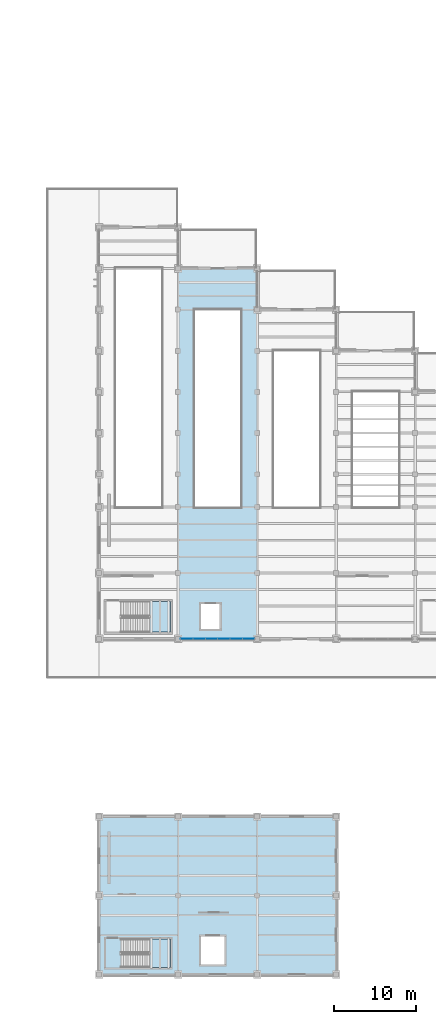
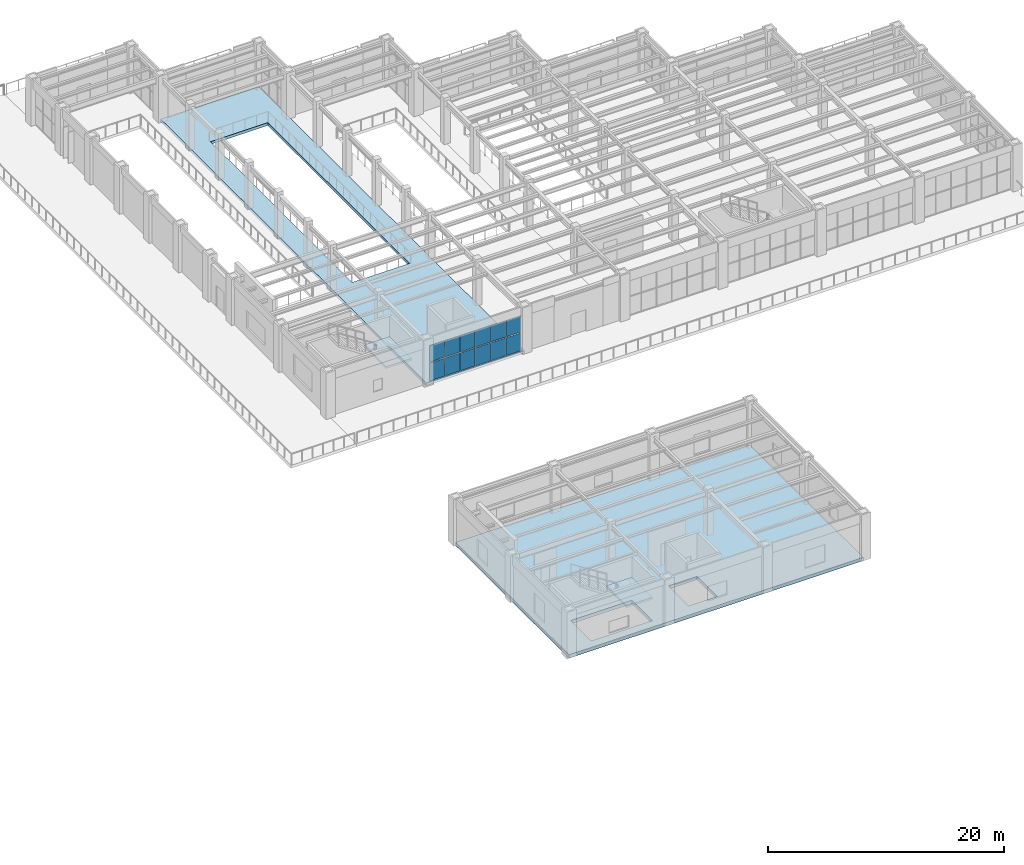
# One storey, part 50 of 83: 12 plates, 4 slabs, 3 elements without a shape of their own.
"""IFC4 building model written with IfcOpenShell, lengths in metres."""

from ifc_helpers import new_model, si_unit, direction, frame, origin, origin_2d, place, context, subcontext, project, spatial, polyline, rectangle, outline, extrude, material, layer, layer_set, type_object, element, aggregate, save


model = new_model("IFC4")

# Units and contexts
model_context = context("Model", 3, precision=1e-05, world=origin(), true_north=direction((0.0, 1.0)))
body_context = subcontext(model_context, "Body", "Model", "MODEL_VIEW")
ifc_project = project(units=[si_unit("LENGTHUNIT", "METRE"), si_unit("AREAUNIT", "SQUARE_METRE"), si_unit("VOLUMEUNIT", "CUBIC_METRE"), si_unit("PLANEANGLEUNIT", "RADIAN"), si_unit("MASSUNIT", "GRAM", prefix="KILO")], contexts=[model_context])

# Site, building, storey
site_placement = place(None, origin())
site = spatial("IfcSite", under=ifc_project, at=site_placement, CompositionType="ELEMENT")
building_placement = place(site_placement, origin())
building = spatial("IfcBuilding", under=site, at=building_placement, Name="Mavantir Sound Aquarium", CompositionType="ELEMENT")
storey_placement = place(building_placement, frame((0.0, 0.0, 10.5)))
storey = spatial("IfcBuildingStorey", under=building, at=storey_placement, Name="L02", CompositionType="ELEMENT", Elevation=10.5)

# Curtain wall, plates
ifc_material_1 = material(Name="Anodised Marine Aluminium and Low-E Glass", Category="aluminium")
curtain_wall_type = type_object("IfcCurtainWallType", Name="CW-T14", PredefinedType="USERDEFINED", material=ifc_material_1)
curtain_wall_placement = place(storey_placement, origin())
curtain_wall = element("IfcCurtainWall", 1, at=curtain_wall_placement, inside=storey, type_object=curtain_wall_type, Name="L02 unitised curtain wall CW-14 134", ObjectType="UNITISED GLAZING", PredefinedType="USERDEFINED")
ifc_material_2 = material(Name="Solar-Control Laminated Low-E Glass", Category="glass")
ifc_layer_1 = layer(ifc_material_2, 0.031982421875, Name="Solar-Control Laminated Low-E Glass")
ifc_layer_set_1 = layer_set([ifc_layer_1], Name="Solar-Control Laminated Low-E Glass")
plate_type = type_object("IfcPlateType", Name="CW-PNL-32", PredefinedType="CURTAIN_PANEL", material=ifc_layer_set_1)
plate_1_placement = place(storey_placement, frame((118.65673828125, 40.800048828125, 0.10302734375), z_axis=(0.0, 0.0, 1.0), x_axis=(1.0, 0.0, 0.0)))
plate_1 = element("IfcPlate", 2, at=plate_1_placement, type_object=plate_type, Name="CW-L02-134 glazed curtain panel 1.1", PredefinedType="CURTAIN_PANEL", context=body_context, shape_type="SweptSolid", body=[
    extrude(rectangle(XDim=1.44921875, YDim=0.031982421875, at=origin_2d()), origin(), (0.0, 0.0, 1.0), 1.848388671875),
])
plate_2_placement = place(storey_placement, frame((118.65673828125, 40.800048828125, 2.04736328125), z_axis=(0.0, 0.0, 1.0), x_axis=(1.0, 0.0, 0.0)))
plate_2 = element("IfcPlate", 3, at=plate_2_placement, type_object=plate_type, Name="CW-L02-134 glazed curtain panel 1.2", PredefinedType="CURTAIN_PANEL", context=body_context, shape_type="SweptSolid", body=[
    extrude(rectangle(XDim=1.44921875, YDim=0.031982421875, at=origin_2d()), origin(), (0.0, 0.0, 1.0), 1.694580078125),
])
plate_3_placement = place(storey_placement, frame((120.154052734375, 40.800048828125, 0.10302734375), z_axis=(0.0, 0.0, 1.0), x_axis=(1.0, 0.0, 0.0)))
plate_3 = element("IfcPlate", 4, at=plate_3_placement, type_object=plate_type, Name="CW-L02-134 glazed curtain panel 2.1", PredefinedType="CURTAIN_PANEL", context=body_context, shape_type="SweptSolid", body=[
    extrude(rectangle(XDim=1.44921875, YDim=0.031982421875, at=origin_2d()), origin(), (0.0, 0.0, 1.0), 1.848388671875),
])
plate_4_placement = place(storey_placement, frame((120.154052734375, 40.800048828125, 2.04736328125), z_axis=(0.0, 0.0, 1.0), x_axis=(1.0, 0.0, 0.0)))
plate_4 = element("IfcPlate", 5, at=plate_4_placement, type_object=plate_type, Name="CW-L02-134 glazed curtain panel 2.2", PredefinedType="CURTAIN_PANEL", context=body_context, shape_type="SweptSolid", body=[
    extrude(rectangle(XDim=1.44921875, YDim=0.031982421875, at=origin_2d()), origin(), (0.0, 0.0, 1.0), 1.694580078125),
])
plate_5_placement = place(storey_placement, frame((121.6513671875, 40.800048828125, 0.10302734375), z_axis=(0.0, 0.0, 1.0), x_axis=(1.0, 0.0, 0.0)))
plate_5 = element("IfcPlate", 6, at=plate_5_placement, type_object=plate_type, Name="CW-L02-134 glazed curtain panel 3.1", PredefinedType="CURTAIN_PANEL", context=body_context, shape_type="SweptSolid", body=[
    extrude(rectangle(XDim=1.44921875, YDim=0.031982421875, at=origin_2d()), origin(), (0.0, 0.0, 1.0), 1.848388671875),
])
plate_6_placement = place(storey_placement, frame((121.6513671875, 40.800048828125, 2.04736328125), z_axis=(0.0, 0.0, 1.0), x_axis=(1.0, 0.0, 0.0)))
plate_6 = element("IfcPlate", 7, at=plate_6_placement, type_object=plate_type, Name="CW-L02-134 glazed curtain panel 3.2", PredefinedType="CURTAIN_PANEL", context=body_context, shape_type="SweptSolid", body=[
    extrude(rectangle(XDim=1.44921875, YDim=0.031982421875, at=origin_2d()), origin(), (0.0, 0.0, 1.0), 1.694580078125),
])
plate_7_placement = place(storey_placement, frame((123.148681640625, 40.800048828125, 0.10302734375), z_axis=(0.0, 0.0, 1.0), x_axis=(1.0, 0.0, 0.0)))
plate_7 = element("IfcPlate", 8, at=plate_7_placement, type_object=plate_type, Name="CW-L02-134 glazed curtain panel 4.1", PredefinedType="CURTAIN_PANEL", context=body_context, shape_type="SweptSolid", body=[
    extrude(rectangle(XDim=1.44921875, YDim=0.031982421875, at=origin_2d()), origin(), (0.0, 0.0, 1.0), 1.848388671875),
])
plate_8_placement = place(storey_placement, frame((123.148681640625, 40.800048828125, 2.04736328125), z_axis=(0.0, 0.0, 1.0), x_axis=(1.0, 0.0, 0.0)))
plate_8 = element("IfcPlate", 9, at=plate_8_placement, type_object=plate_type, Name="CW-L02-134 glazed curtain panel 4.2", PredefinedType="CURTAIN_PANEL", context=body_context, shape_type="SweptSolid", body=[
    extrude(rectangle(XDim=1.44921875, YDim=0.031982421875, at=origin_2d()), origin(), (0.0, 0.0, 1.0), 1.694580078125),
])
plate_9_placement = place(storey_placement, frame((124.64599609375, 40.800048828125, 0.10302734375), z_axis=(0.0, 0.0, 1.0), x_axis=(1.0, 0.0, 0.0)))
plate_9 = element("IfcPlate", 10, at=plate_9_placement, type_object=plate_type, Name="CW-L02-134 glazed curtain panel 5.1", PredefinedType="CURTAIN_PANEL", context=body_context, shape_type="SweptSolid", body=[
    extrude(rectangle(XDim=1.44921875, YDim=0.031982421875, at=origin_2d()), origin(), (0.0, 0.0, 1.0), 1.848388671875),
])
plate_10_placement = place(storey_placement, frame((124.64599609375, 40.800048828125, 2.04736328125), z_axis=(0.0, 0.0, 1.0), x_axis=(1.0, 0.0, 0.0)))
plate_10 = element("IfcPlate", 11, at=plate_10_placement, type_object=plate_type, Name="CW-L02-134 glazed curtain panel 5.2", PredefinedType="CURTAIN_PANEL", context=body_context, shape_type="SweptSolid", body=[
    extrude(rectangle(XDim=1.44921875, YDim=0.031982421875, at=origin_2d()), origin(), (0.0, 0.0, 1.0), 1.694580078125),
])
plate_11_placement = place(storey_placement, frame((126.143310546875, 40.800048828125, 0.10302734375), z_axis=(0.0, 0.0, 1.0), x_axis=(1.0, 0.0, 0.0)))
plate_11 = element("IfcPlate", 12, at=plate_11_placement, type_object=plate_type, Name="CW-L02-134 glazed curtain panel 6.1", PredefinedType="CURTAIN_PANEL", context=body_context, shape_type="SweptSolid", body=[
    extrude(rectangle(XDim=1.44921875, YDim=0.031982421875, at=origin_2d()), origin(), (0.0, 0.0, 1.0), 1.848388671875),
])
plate_12_placement = place(storey_placement, frame((126.143310546875, 40.800048828125, 2.04736328125), z_axis=(0.0, 0.0, 1.0), x_axis=(1.0, 0.0, 0.0)))
plate_12 = element("IfcPlate", 13, at=plate_12_placement, type_object=plate_type, Name="CW-L02-134 glazed curtain panel 6.2", PredefinedType="CURTAIN_PANEL", context=body_context, shape_type="SweptSolid", body=[
    extrude(rectangle(XDim=1.44921875, YDim=0.031982421875, at=origin_2d()), origin(), (0.0, 0.0, 1.0), 1.694580078125),
])
aggregate(curtain_wall, [plate_1, plate_2, plate_3, plate_4, plate_5, plate_6, plate_7, plate_8, plate_9, plate_10, plate_11, plate_12])

# Slabs
ifc_material_3 = material(Name="Concrete C40/50", Category="concrete")
ifc_layer_2 = layer(ifc_material_3, 0.35009765625, Name="Concrete C40/50")
ifc_layer_set_2 = layer_set([ifc_layer_2], Name="Concrete C40/50")
slab_type_1 = type_object("IfcSlabType", Name="SLB-FS-02", PredefinedType="FLOOR", material=ifc_layer_set_2)
slab_1_placement = place(storey_placement, frame((0.0, 0.0, -0.35009765625)))
element("IfcSlab", 14, at=slab_1_placement, inside=storey, type_object=slab_type_1, Name="L02 structural slab FS-02 (V6)", PredefinedType="FLOOR", context=body_context, shape_type="SweptSolid", body=[
    extrude(outline(polyline([(136.800048828125, 0.0), (136.800048828125, 19.199951171875), (108.0, 19.199951171875), (108.0, 0.0), (136.800048828125, 0.0)]), holes=[polyline([(110.64990234375, 0.85009765625), (116.64990234375, 0.85009765625), (116.64990234375, 4.300048828125), (110.64990234375, 4.300048828125), (110.64990234375, 0.85009765625)]), polyline([(120.39990234375, 1.199951171875), (123.199951171875, 1.199951171875), (123.199951171875, 4.60009765625), (120.39990234375, 4.60009765625), (120.39990234375, 1.199951171875)])]), origin(), (0.0, 0.0, 1.0), 0.35009765625),
])
ifc_layer_3 = layer(ifc_material_3, 0.2900390625, Name="Concrete C40/50")
ifc_layer_set_3 = layer_set([ifc_layer_3], Name="Concrete C40/50")
slab_type_2 = type_object("IfcSlabType", Name="SLB-FS-06", PredefinedType="FLOOR", material=ifc_layer_set_3)
slab_2_placement = place(storey_placement, frame((0.0, 0.0, -0.2900390625)))
element("IfcSlab", 15, at=slab_2_placement, inside=storey, type_object=slab_type_2, Name="L02 structural slab FS-06 (V4)", PredefinedType="FLOOR", context=body_context, shape_type="SweptSolid", body=[
    extrude(outline(polyline([(127.199951171875, 40.800048828125), (127.199951171875, 85.800048828125), (117.60009765625, 85.800048828125), (117.60009765625, 40.800048828125), (127.199951171875, 40.800048828125)]), holes=[polyline([(119.60009765625, 56.800048828125), (125.199951171875, 56.800048828125), (125.199951171875, 80.800048828125), (119.60009765625, 80.800048828125), (119.60009765625, 56.800048828125)]), polyline([(120.39990234375, 42.0), (122.64990234375, 42.0), (122.64990234375, 45.0), (120.39990234375, 45.0), (120.39990234375, 42.0)])]), origin(), (0.0, 0.0, 1.0), 0.2900390625),
])

# Stair, slab
stair_type_1 = type_object("IfcStairType", Name="STR-1800-4800", PredefinedType="HALF_TURN_STAIR", material=ifc_material_3)
stair_1_placement = place(storey_placement, origin())
stair_1 = element("IfcStair", 16, at=stair_1_placement, inside=storey, type_object=stair_type_1, Name="L02 Protected exit stair ST4", PredefinedType="HALF_TURN_STAIR")
ifc_layer_4 = layer(ifc_material_3, 0.199951171875, Name="Concrete C40/50")
ifc_layer_set_4 = layer_set([ifc_layer_4], Name="Concrete C40/50")
slab_type_3 = type_object("IfcSlabType", Name="SLB-LND-360", PredefinedType="LANDING", material=ifc_layer_set_4)
slab_3_placement = place(storey_placement, frame((0.0, 0.0, 2.199951171875)))
slab_3 = element("IfcSlab", 17, at=slab_3_placement, type_object=slab_type_3, Name="ST4 landing 1", PredefinedType="LANDING", context=body_context, shape_type="SweptSolid", body=[
    extrude(outline(polyline([(114.1298828125, 41.60009765625), (116.64990234375, 41.60009765625), (116.64990234375, 45.35009765625), (114.1298828125, 45.35009765625), (114.1298828125, 41.60009765625)])), origin(), (0.0, 0.0, 1.0), 0.199951171875),
])
aggregate(stair_1, [slab_3])

stair_type_2 = type_object("IfcStairType", Name="STR-1650-4800", PredefinedType="HALF_TURN_STAIR", material=ifc_material_3)
stair_2_placement = place(storey_placement, origin())
stair_2 = element("IfcStair", 18, at=stair_2_placement, inside=storey, type_object=stair_type_2, Name="L02 Protected exit stair ST6", PredefinedType="HALF_TURN_STAIR")
slab_4_placement = place(storey_placement, frame((0.0, 0.0, 2.199951171875)))
slab_4 = element("IfcSlab", 19, at=slab_4_placement, type_object=slab_type_3, Name="ST6 landing 1", PredefinedType="LANDING", context=body_context, shape_type="SweptSolid", body=[
    extrude(outline(polyline([(114.1298828125, 0.85009765625), (116.64990234375, 0.85009765625), (116.64990234375, 4.300048828125), (114.1298828125, 4.300048828125), (114.1298828125, 0.85009765625)])), origin(), (0.0, 0.0, 1.0), 0.199951171875),
])
aggregate(stair_2, [slab_4])

save(model, "model.ifc")
